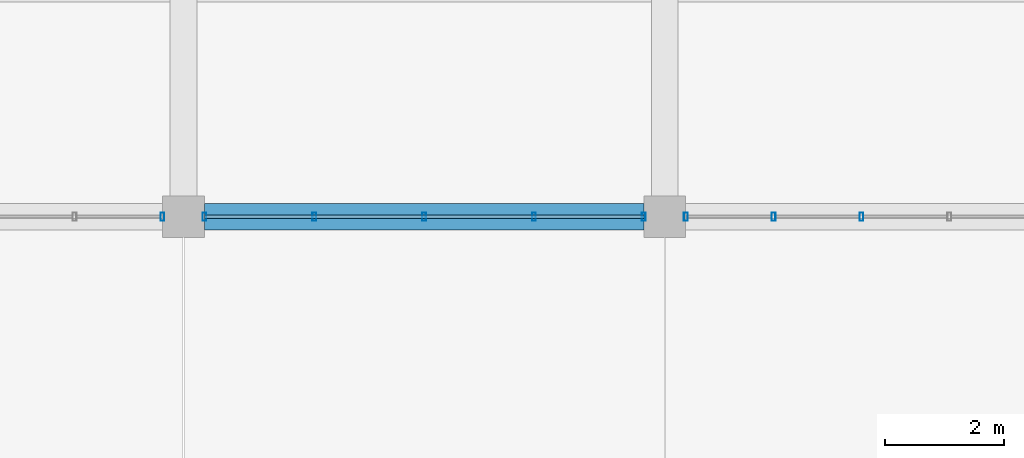
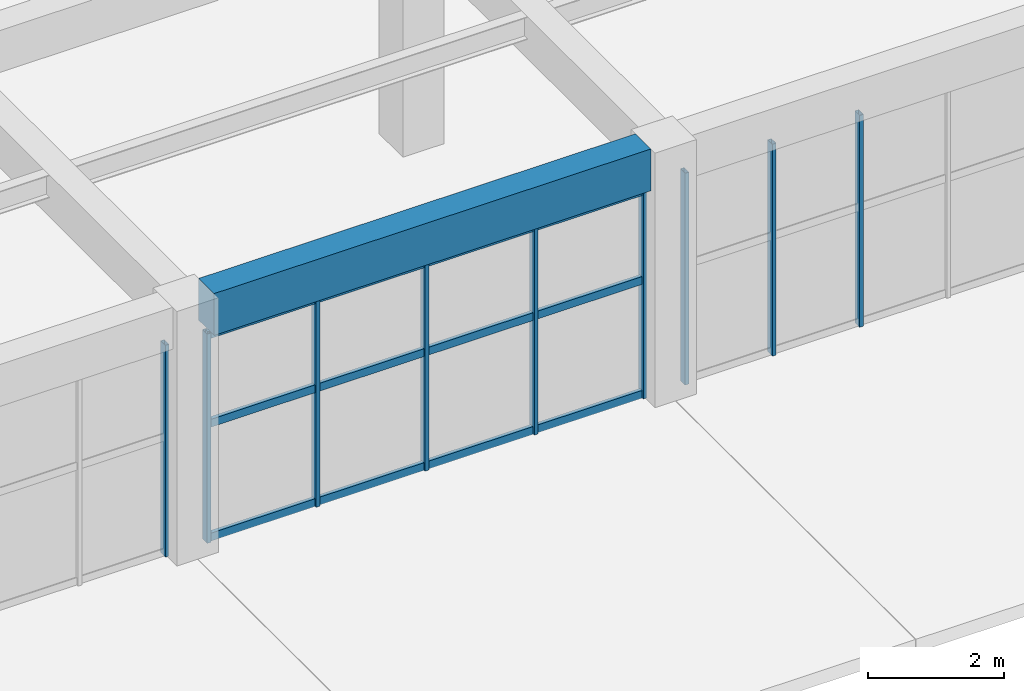
# One storey, part 9 of 161: 12 members, 1 beam, 3 elements without a shape of their own.
"""IFC4 building model written with IfcOpenShell, lengths in metres."""

from ifc_helpers import new_model, si_unit, direction, frame, origin, origin_2d, place, context, subcontext, project, spatial, rectangle, hollow_rectangle, extrude, material, material_profile, profile_set, type_object, element, aggregate, save


model = new_model("IFC4")

# Units and contexts
model_context = context("Model", 3, precision=1e-05, world=origin(), true_north=direction((0.0, 1.0)))
body_context = subcontext(model_context, "Body", "Model", "MODEL_VIEW")
ifc_project = project(units=[si_unit("LENGTHUNIT", "METRE"), si_unit("AREAUNIT", "SQUARE_METRE"), si_unit("VOLUMEUNIT", "CUBIC_METRE"), si_unit("PLANEANGLEUNIT", "RADIAN"), si_unit("MASSUNIT", "GRAM", prefix="KILO")], contexts=[model_context])

# Site, building, storey
site_placement = place(None, origin())
site = spatial("IfcSite", under=ifc_project, at=site_placement, CompositionType="ELEMENT")
building_placement = place(site_placement, origin())
building = spatial("IfcBuilding", under=site, at=building_placement, Name="Cimatlan Art Gallery", CompositionType="ELEMENT")
storey_placement = place(building_placement, frame((0.0, 0.0, 5.39990234375)))
storey = spatial("IfcBuildingStorey", under=building, at=storey_placement, Name="L01", CompositionType="ELEMENT", Elevation=5.39990234375)

# Beam
ifc_material_1 = material(Name="Concrete C40/50", Category="concrete")
ifc_material_profile_1 = material_profile(ifc_material_1, rectangle(XDim=0.449951171875, YDim=0.75, at=origin_2d()), Name="RC450X750")
ifc_profile_set_1 = profile_set([ifc_material_profile_1], Name="Concrete C40/50")
beam_type = type_object("IfcBeamType", Name="BM-RC-450X750", PredefinedType="BEAM", material=ifc_profile_set_1)
beam_placement = place(storey_placement, frame((50.949951171875, 23.89990234375, 4.18505859375), z_axis=(1.0, 0.0, 0.0), x_axis=(0.0, 1.0, 0.0)))
element("IfcBeam", 1, at=beam_placement, inside=storey, type_object=beam_type, Name="BM-X-L01-06-03", PredefinedType="BEAM", context=body_context, shape_type="SweptSolid", body=[
    extrude(rectangle(XDim=0.449951171875, YDim=0.75, at=origin_2d()), origin(), (0.0, 0.0, 1.0), 7.400146484375),
])

# Curtain wall, member
ifc_material_2 = material(Name="Anodised bronze unitised curtain wall")
curtain_wall_type_1 = type_object("IfcCurtainWallType", Name="CW-V-07392X03795-B5", PredefinedType="NOTDEFINED", material=ifc_material_2)
curtain_wall_1_placement = place(storey_placement, origin())
curtain_wall_1 = element("IfcCurtainWall", 2, at=curtain_wall_1_placement, inside=storey, type_object=curtain_wall_type_1, Name="CW-L01-05-03-S", PredefinedType="NOTDEFINED")
ifc_material_3 = material(Name="Anodised bronze aluminium 6063-T6", Category="aluminium")
ifc_material_profile_2 = material_profile(ifc_material_3, hollow_rectangle(XDim=0.06494140625, YDim=0.139892578125, WallThickness=0.00390625, at=origin_2d()), Name="ALU65X140X4")
ifc_profile_set_2 = profile_set([ifc_material_profile_2], Name="Anodised bronze aluminium 6063-T6")
member_type_1 = type_object("IfcMemberType", Name="CW-MUL-140", PredefinedType="MULLION", material=ifc_profile_set_2)
member_1_placement = place(storey_placement, frame((50.24609375, 23.89990234375, 0.0), z_axis=(0.0, 0.0, 1.0), x_axis=(1.0, 0.0, 0.0)))
member_1 = element("IfcMember", 3, at=member_1_placement, type_object=member_type_1, Name="CW-L01-05-03-S-M1", PredefinedType="MULLION", context=body_context, shape_type="SweptSolid", body=[
    extrude(hollow_rectangle(XDim=0.06494140625, YDim=0.139892578125, WallThickness=0.00390625, at=origin_2d()), origin(), (0.0, 0.0, 1.0), 3.795166015625),
])
aggregate(curtain_wall_1, [member_1])

# Curtain wall, members
curtain_wall_type_2 = type_object("IfcCurtainWallType", Name="CW-V-07392X03750-B4", PredefinedType="NOTDEFINED", material=ifc_material_2)
curtain_wall_2_placement = place(storey_placement, origin())
curtain_wall_2 = element("IfcCurtainWall", 4, at=curtain_wall_2_placement, inside=storey, type_object=curtain_wall_type_2, Name="CW-L01-06-03-S", PredefinedType="NOTDEFINED")
member_2_placement = place(storey_placement, frame((58.345947265625, 23.89990234375, 0.0), z_axis=(0.0, 0.0, 1.0), x_axis=(1.0, 0.0, 0.0)))
member_2 = element("IfcMember", 5, at=member_2_placement, type_object=member_type_1, Name="CW-L01-06-03-S-M1", PredefinedType="MULLION", context=body_context, shape_type="SweptSolid", body=[
    extrude(hollow_rectangle(XDim=0.06494140625, YDim=0.139892578125, WallThickness=0.00390625, at=origin_2d()), origin(), (0.0, 0.0, 1.0), 3.75),
])
member_3_placement = place(storey_placement, frame((56.498046875, 23.89990234375, 0.0), z_axis=(0.0, 0.0, 1.0), x_axis=(1.0, 0.0, 0.0)))
member_3 = element("IfcMember", 6, at=member_3_placement, type_object=member_type_1, Name="CW-L01-06-03-S-M2", PredefinedType="MULLION", context=body_context, shape_type="SweptSolid", body=[
    extrude(hollow_rectangle(XDim=0.06494140625, YDim=0.139892578125, WallThickness=0.00390625, at=origin_2d()), origin(), (0.0, 0.0, 1.0), 3.75),
])
member_4_placement = place(storey_placement, frame((54.64990234375, 23.89990234375, 0.0), z_axis=(0.0, 0.0, 1.0), x_axis=(1.0, 0.0, 0.0)))
member_4 = element("IfcMember", 7, at=member_4_placement, type_object=member_type_1, Name="CW-L01-06-03-S-M3", PredefinedType="MULLION", context=body_context, shape_type="SweptSolid", body=[
    extrude(hollow_rectangle(XDim=0.06494140625, YDim=0.139892578125, WallThickness=0.00390625, at=origin_2d()), origin(), (0.0, 0.0, 1.0), 3.75),
])
member_5_placement = place(storey_placement, frame((52.802001953125, 23.89990234375, 0.0), z_axis=(0.0, 0.0, 1.0), x_axis=(1.0, 0.0, 0.0)))
member_5 = element("IfcMember", 8, at=member_5_placement, type_object=member_type_1, Name="CW-L01-06-03-S-M4", PredefinedType="MULLION", context=body_context, shape_type="SweptSolid", body=[
    extrude(hollow_rectangle(XDim=0.06494140625, YDim=0.139892578125, WallThickness=0.00390625, at=origin_2d()), origin(), (0.0, 0.0, 1.0), 3.75),
])
member_6_placement = place(storey_placement, frame((50.9541015625, 23.89990234375, 0.0), z_axis=(0.0, 0.0, 1.0), x_axis=(1.0, 0.0, 0.0)))
member_6 = element("IfcMember", 9, at=member_6_placement, type_object=member_type_1, Name="CW-L01-06-03-S-M5", PredefinedType="MULLION", context=body_context, shape_type="SweptSolid", body=[
    extrude(hollow_rectangle(XDim=0.06494140625, YDim=0.139892578125, WallThickness=0.00390625, at=origin_2d()), origin(), (0.0, 0.0, 1.0), 3.75),
])

curtain_wall_3_placement = place(storey_placement, origin())
curtain_wall_3 = element("IfcCurtainWall", 10, at=curtain_wall_3_placement, inside=storey, type_object=curtain_wall_type_1, Name="CW-L01-07-03-S", PredefinedType="NOTDEFINED")
member_7_placement = place(storey_placement, frame((62.0107421875, 23.89990234375, 0.0), z_axis=(0.0, 0.0, 1.0), x_axis=(1.0, 0.0, 0.0)))
member_7 = element("IfcMember", 11, at=member_7_placement, type_object=member_type_1, Name="CW-L01-07-03-S-M4", PredefinedType="MULLION", context=body_context, shape_type="SweptSolid", body=[
    extrude(hollow_rectangle(XDim=0.06494140625, YDim=0.139892578125, WallThickness=0.00390625, at=origin_2d()), origin(), (0.0, 0.0, 1.0), 3.795166015625),
])
member_8_placement = place(storey_placement, frame((60.532470703125, 23.89990234375, 0.0), z_axis=(0.0, 0.0, 1.0), x_axis=(1.0, 0.0, 0.0)))
member_8 = element("IfcMember", 12, at=member_8_placement, type_object=member_type_1, Name="CW-L01-07-03-S-M5", PredefinedType="MULLION", context=body_context, shape_type="SweptSolid", body=[
    extrude(hollow_rectangle(XDim=0.06494140625, YDim=0.139892578125, WallThickness=0.00390625, at=origin_2d()), origin(), (0.0, 0.0, 1.0), 3.795166015625),
])
member_9_placement = place(storey_placement, frame((59.053955078125, 23.89990234375, 0.0), z_axis=(0.0, 0.0, 1.0), x_axis=(1.0, 0.0, 0.0)))
member_9 = element("IfcMember", 13, at=member_9_placement, type_object=member_type_1, Name="CW-L01-07-03-S-M6", PredefinedType="MULLION", context=body_context, shape_type="SweptSolid", body=[
    extrude(hollow_rectangle(XDim=0.06494140625, YDim=0.139892578125, WallThickness=0.00390625, at=origin_2d()), origin(), (0.0, 0.0, 1.0), 3.795166015625),
])
aggregate(curtain_wall_3, [member_7, member_8, member_9])

# Member
ifc_material_profile_3 = material_profile(ifc_material_3, hollow_rectangle(XDim=0.06494140625, YDim=0.139892578125, WallThickness=0.00390625, at=origin_2d()), Name="ALU65X140X4")
ifc_profile_set_3 = profile_set([ifc_material_profile_3], Name="Anodised bronze aluminium 6063-T6")
member_type_2 = type_object("IfcMemberType", Name="CW-TRN-140", PredefinedType="USERDEFINED", material=ifc_profile_set_3)
member_10_placement = place(storey_placement, frame((58.345947265625, 23.89990234375, 0.06005859375), z_axis=(-1.0, 0.0, 0.0), x_axis=(0.0, -1.0, 0.0)))
member_10 = element("IfcMember", 14, at=member_10_placement, type_object=member_type_2, Name="CW-L01-06-03-S-T1", ObjectType="TRANSOM", PredefinedType="USERDEFINED", context=body_context, shape_type="SweptSolid", body=[
    extrude(hollow_rectangle(XDim=0.06494140625, YDim=0.139892578125, WallThickness=0.00390625, at=origin_2d()), origin(), (0.0, 0.0, 1.0), 7.391845703125),
])

member_11_placement = place(storey_placement, frame((58.345947265625, 23.89990234375, 2.10009765625), z_axis=(-1.0, 0.0, 0.0), x_axis=(0.0, -1.0, 0.0)))
member_11 = element("IfcMember", 15, at=member_11_placement, type_object=member_type_2, Name="CW-L01-06-03-S-T2", ObjectType="TRANSOM", PredefinedType="USERDEFINED", context=body_context, shape_type="SweptSolid", body=[
    extrude(hollow_rectangle(XDim=0.06494140625, YDim=0.139892578125, WallThickness=0.00390625, at=origin_2d()), origin(), (0.0, 0.0, 1.0), 7.391845703125),
])

member_12_placement = place(storey_placement, frame((58.345947265625, 23.89990234375, 3.690185546875), z_axis=(-1.0, 0.0, 0.0), x_axis=(0.0, -1.0, 0.0)))
member_12 = element("IfcMember", 16, at=member_12_placement, type_object=member_type_2, Name="CW-L01-06-03-S-T3", ObjectType="TRANSOM", PredefinedType="USERDEFINED", context=body_context, shape_type="SweptSolid", body=[
    extrude(hollow_rectangle(XDim=0.06494140625, YDim=0.139892578125, WallThickness=0.00390625, at=origin_2d()), origin(), (0.0, 0.0, 1.0), 7.391845703125),
])

aggregate(curtain_wall_2, [member_2, member_3, member_4, member_5, member_6, member_10, member_11, member_12])

save(model, "model.ifc")
